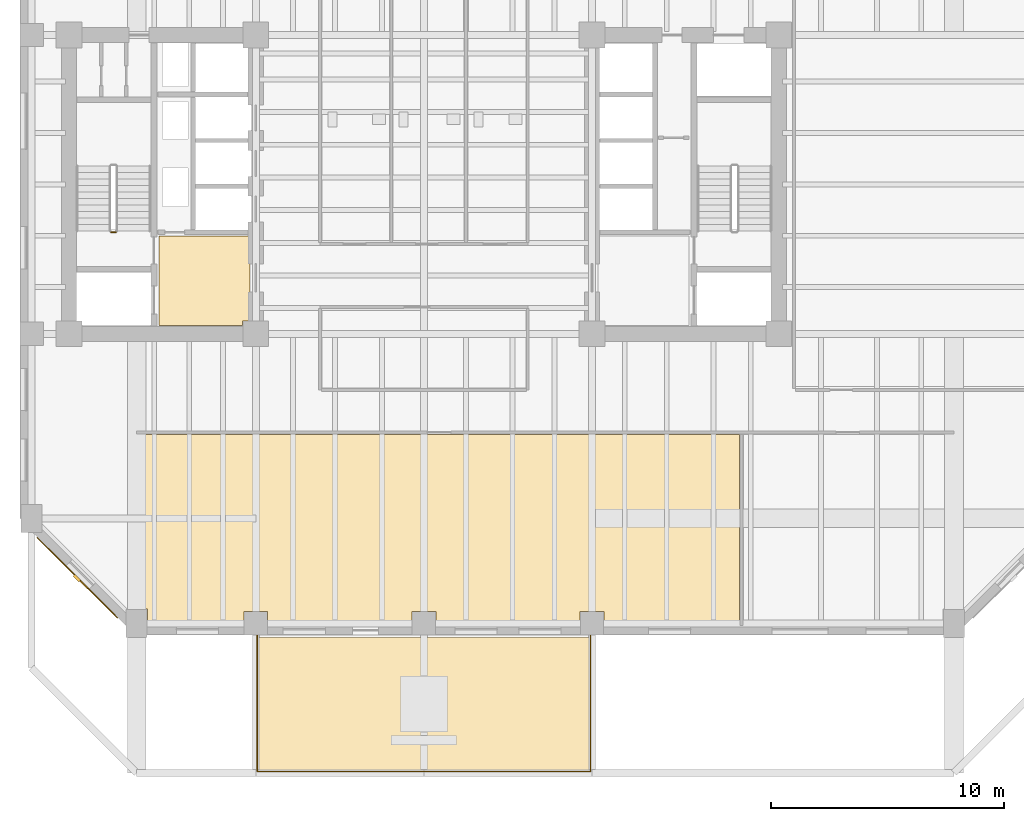
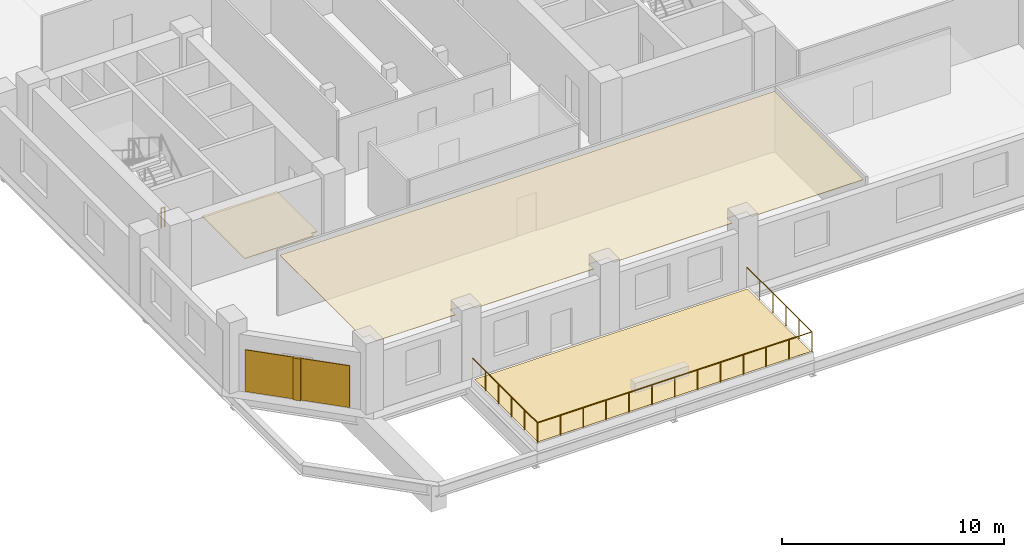
# One storey, part 7 of 10: 4 coverings, 2 railings, 1 shading device.
"""IFC4 building model written with IfcOpenShell, lengths in metres."""

import ifcopenshell
import ifcopenshell.guid

model = None  # the IFC model being written
_history = None  # IfcOwnerHistory: only IFC2X3 demands one
_inside = {}  # id of a spatial element -> (the spatial element, [elements in it])
_under = {}  # id of a project, library or spatial element -> (it, [spatial elements below it])
_declared = {}  # id of a project -> (the project, [libraries it declares])
_typed = {}  # id of a type object -> (the type object, [elements of that type])
_made_of = {}  # id of a material, layer set ... -> (it, [elements and type objects made of it])


def new_model(schema):
    """Start an empty IFC model of exactly this schema.

    Asked for "IFC4X3", IfcOpenShell would pick the latest addendum, in which some entities
    have other attributes; the version numbers below select the first issue.
    IFC2X3 requires an IfcOwnerHistory on every rooted entity: one is made here for all.
    """
    global model, _history
    if schema == "IFC4X3":
        model = ifcopenshell.file(schema_version=(4, 3, 0, 0))
    else:
        model = ifcopenshell.file(schema=schema)
    _inside.clear()
    _under.clear()
    _declared.clear()
    _typed.clear()
    _made_of.clear()
    _history = None
    if model.schema == "IFC2X3":
        org = make("IfcOrganization", Name="unknown")
        user = make(
            "IfcPersonAndOrganization",
            ThePerson=make("IfcPerson", FamilyName="unknown"),
            TheOrganization=org,
        )
        app = make(
            "IfcApplication",
            ApplicationDeveloper=org,
            Version="unknown",
            ApplicationFullName="unknown",
            ApplicationIdentifier="unknown",
        )
        _history = make(
            "IfcOwnerHistory",
            OwningUser=user,
            OwningApplication=app,
            ChangeAction="ADDED",
            CreationDate=0,
        )
    return model


def make(cls, **values):
    """One entity of the class cls with the attributes given. An attribute that is None is left unset."""
    return model.create_entity(
        cls, **{name: value for name, value in values.items() if value is not None}
    )


def rooted(cls, **values):
    """An entity with a GlobalId (a new one), such as an element, a storey or a relation."""
    return make(cls, GlobalId=ifcopenshell.guid.new(), OwnerHistory=_history, **values)


def si_unit(unit_type, name, prefix=None):
    """IfcSIUnit, for example si_unit("LENGTHUNIT", "METRE", prefix="MILLI")."""
    return make("IfcSIUnit", UnitType=unit_type, Prefix=prefix, Name=name)


def assignment(units):
    """IfcUnitAssignment: the units of a project."""
    return None if units is None else make("IfcUnitAssignment", Units=units)


def point(xyz):
    """IfcCartesianPoint."""
    return None if xyz is None else make("IfcCartesianPoint", Coordinates=xyz)


def direction(xyz):
    """IfcDirection."""
    return None if xyz is None else make("IfcDirection", DirectionRatios=xyz)


def frame(location, z_axis=None, x_axis=None):
    """IfcAxis2Placement3D, a coordinate frame: its origin and axes. An axis left out is left unset."""
    return make(
        "IfcAxis2Placement3D",
        Location=point(location),
        Axis=direction(z_axis),
        RefDirection=direction(x_axis),
    )


def frame_2d(location, x_axis=None):
    """IfcAxis2Placement2D, a coordinate frame in the plane: its origin and x axis."""
    return make(
        "IfcAxis2Placement2D", Location=point(location), RefDirection=direction(x_axis)
    )


def origin():
    """The frame at (0, 0, 0) with its axes left unset."""
    return frame((0.0, 0.0, 0.0))


def origin_2d():
    """The frame at (0, 0) in the plane with its x axis left unset."""
    return frame_2d((0.0, 0.0))


def place(relative_to, where):
    """IfcLocalPlacement: puts the frame where relative to a parent placement (None: the world)."""
    return make(
        "IfcLocalPlacement", PlacementRelTo=relative_to, RelativePlacement=where
    )


def context(
    kind, dimensions, precision=None, world=None, true_north=None, identifier=None
):
    """IfcGeometricRepresentationContext, for example the 3D "Model" context."""
    return make(
        "IfcGeometricRepresentationContext",
        ContextIdentifier=identifier,
        ContextType=kind,
        CoordinateSpaceDimension=dimensions,
        Precision=precision,
        WorldCoordinateSystem=world,
        TrueNorth=true_north,
    )


def subcontext(parent, identifier, kind, view, scale=None):
    """IfcGeometricRepresentationSubContext, for example "Body" below "Model"."""
    return make(
        "IfcGeometricRepresentationSubContext",
        ContextIdentifier=identifier,
        ContextType=kind,
        ParentContext=parent,
        TargetScale=scale,
        TargetView=view,
    )


def project(units=None, contexts=None):
    """IfcProject with its units and contexts."""
    return rooted(
        "IfcProject",
        Name="project",
        RepresentationContexts=contexts,
        UnitsInContext=assignment(units),
    )


def spatial(cls, under=None, at=None, **own):
    """A site, building, storey or space (cls), placed at a placement, below another one or the project."""
    s = rooted(cls, ObjectPlacement=at, **own)
    if under is not None:
        _under.setdefault(under.id(), (under, []))[1].append(s)
    return s


def polyline(points):
    """IfcPolyline through the points."""
    return make("IfcPolyline", Points=[point(p) for p in points])


def profile(cls, at=None, kind="AREA", **sizes):
    """A parametric profile (cls). Its sizes go by their IFC names, for example OverallWidth=200.0."""
    return make(cls, ProfileType=kind, Position=at, **sizes)


def rectangle(**sizes):
    """IfcRectangleProfileDef."""
    return profile("IfcRectangleProfileDef", **sizes)


def circle(**sizes):
    """IfcCircleProfileDef."""
    return profile("IfcCircleProfileDef", **sizes)


def outline(outer, holes=None, kind="AREA"):
    """IfcArbitraryClosedProfileDef: a profile drawn as a closed curve; with holes, ...WithVoids."""
    if holes is None:
        return make("IfcArbitraryClosedProfileDef", ProfileType=kind, OuterCurve=outer)
    return make(
        "IfcArbitraryProfileDefWithVoids",
        ProfileType=kind,
        OuterCurve=outer,
        InnerCurves=holes,
    )


def extrude(swept, where, along, depth):
    """IfcExtrudedAreaSolid: the profile swept, set in the frame where, extruded along a direction by depth."""
    return make(
        "IfcExtrudedAreaSolid",
        SweptArea=swept,
        Position=where,
        ExtrudedDirection=direction(along),
        Depth=depth,
    )


def shape(context_of_items, identifier, shape_type, items):
    """IfcShapeRepresentation: the items that make up one representation, for example the "Body"."""
    return make(
        "IfcShapeRepresentation",
        ContextOfItems=context_of_items,
        RepresentationIdentifier=identifier,
        RepresentationType=shape_type,
        Items=items,
    )


def material(Name=None, Category=None):
    """IfcMaterial."""
    return make("IfcMaterial", Name=Name, Category=Category)


def layer(
    of_material, thickness, ventilated=None, Name=None, Category=None, Priority=None
):
    """IfcMaterialLayer: one layer of a wall or slab, of a material (None: an air gap)."""
    return make(
        "IfcMaterialLayer",
        Material=of_material,
        LayerThickness=thickness,
        IsVentilated=ventilated,
        Name=Name,
        Category=Category,
        Priority=Priority,
    )


def layer_set(layers, Name=None):
    """IfcMaterialLayerSet."""
    return make("IfcMaterialLayerSet", MaterialLayers=layers, LayerSetName=Name)


def made_of(thing, what):
    """Note that an element or type object is made of a material, layer set ...; save() writes the relation."""
    if what is not None:
        _made_of.setdefault(what.id(), (what, []))[1].append(thing)
    return thing


def type_object(cls, material=None, **own):
    """A type object (cls), such as IfcWallType, which elements share."""
    return made_of(rooted(cls, **own), material)


def element(
    cls,
    number,
    at=None,
    inside=None,
    cuts=None,
    type_object=None,
    material=None,
    context=None,
    identifier="Body",
    shape_type=None,
    held_by="IfcProductDefinitionShape",
    body=None,
    shapes=None,
    **own,
):
    """One element of the class cls, such as IfcWall. Its Tag is "e" and its number.

    at: its placement. inside: the storey or other place that contains it. cuts: it is an
    opening in that element (IfcRelVoidsElement). A single representation is given by context,
    identifier, shape_type and body (its items); several are given by shapes. held_by: the class
    of the entity that holds the representations. save() writes the other relations.
    """
    e = rooted(cls, Tag="e%d" % number, ObjectPlacement=at, **own)
    if body is not None:
        shapes = [shape(context, identifier, shape_type, body)]
    if shapes is not None:
        e.Representation = make(held_by, Representations=shapes)
    if inside is not None:
        _inside.setdefault(inside.id(), (inside, []))[1].append(e)
    if cuts is not None:
        rooted(
            "IfcRelVoidsElement", RelatingBuildingElement=cuts, RelatedOpeningElement=e
        )
    if type_object is not None:
        _typed.setdefault(type_object.id(), (type_object, []))[1].append(e)
    return made_of(e, material)


def aggregate(whole, parts):
    """IfcRelAggregates: a whole, such as a stair, and the parts it consists of."""
    return rooted("IfcRelAggregates", RelatingObject=whole, RelatedObjects=parts)


def save(model, path):
    """Write the relations noted so far, then the file.

    IfcRelAggregates (storeys below a building ...), IfcRelContainedInSpatialStructure (elements
    in a storey), IfcRelDefinesByType, IfcRelAssociatesMaterial and IfcRelDeclares: one each for
    every whole, place, type object, material and project.
    """
    for whole, parts in _under.values():
        aggregate(whole, parts)
    for where, things in _inside.values():
        rooted(
            "IfcRelContainedInSpatialStructure",
            RelatedElements=things,
            RelatingStructure=where,
        )
    for kind, things in _typed.values():
        rooted("IfcRelDefinesByType", RelatedObjects=things, RelatingType=kind)
    for what, things in _made_of.values():
        rooted("IfcRelAssociatesMaterial", RelatedObjects=things, RelatingMaterial=what)
    for by, libraries in _declared.values():
        rooted("IfcRelDeclares", RelatingContext=by, RelatedDefinitions=libraries)
    model.write(path)


model = new_model("IFC4")

# Units and contexts
model_context = context("Model", 3, precision=1e-05, world=origin(), true_north=direction((0.0, 1.0)))
body_context = subcontext(model_context, "Body", "Model", "MODEL_VIEW")
ifc_project = project(units=[si_unit("LENGTHUNIT", "METRE"), si_unit("AREAUNIT", "SQUARE_METRE"), si_unit("VOLUMEUNIT", "CUBIC_METRE"), si_unit("PLANEANGLEUNIT", "RADIAN"), si_unit("MASSUNIT", "GRAM", prefix="KILO")], contexts=[model_context])

# Site, building, storey
site_placement = place(None, origin())
site = spatial("IfcSite", under=ifc_project, at=site_placement, CompositionType="ELEMENT")
building_placement = place(site_placement, origin())
building = spatial("IfcBuilding", under=site, at=building_placement, Name="Kranthara Brick Stack", CompositionType="ELEMENT")
storey_placement = place(building_placement, frame((0.0, 0.0, 71.10009765625)))
storey = spatial("IfcBuildingStorey", under=building, at=storey_placement, Name="L17", CompositionType="ELEMENT", Elevation=71.10009765625)

# Coverings
ifc_material_1 = material(Name="Perforated mineral-fibre acoustic ceiling tile", Category="other")
ifc_layer_1 = layer(ifc_material_1, 0.02490234375)
ifc_layer_set_1 = layer_set([ifc_layer_1], Name="Perforated mineral-fibre acoustic ceiling tile")
covering_type_1 = type_object("IfcCoveringType", Name="COV-CEIL-ACOUSTIC", PredefinedType="CEILING", material=ifc_layer_set_1)
covering_1_placement = place(storey_placement, frame((0.0, 0.0, 3.329833984375)))
element("IfcCovering", 1, at=covering_1_placement, inside=storey, type_object=covering_type_1, Name="L17 L17 Open Plan Workspace 1 Acoustic Ceiling", PredefinedType="CEILING", context=body_context, shape_type="SweptSolid", body=[
    extrude(outline(polyline([(35.7099609375, 8.469970703125), (35.7099609375, 8.909912109375), (34.68994140625, 8.909912109375), (34.68994140625, 8.469970703125), (28.510009765625, 8.469970703125), (28.510009765625, 8.909912109375), (27.489990234375, 8.909912109375), (27.489990234375, 8.469970703125), (21.31005859375, 8.469970703125), (21.31005859375, 8.909912109375), (20.2900390625, 8.909912109375), (20.2900390625, 8.469970703125), (16.159912109375, 8.469970703125), (16.159912109375, 9.010009765625), (15.780029296875, 9.010009765625), (15.780029296875, 16.47998046875), (41.52001953125, 16.47998046875), (41.52001953125, 8.469970703125), (35.7099609375, 8.469970703125)])), origin(), (0.0, 0.0, 1.0), 0.025146484375),
])
ifc_material_2 = material(Name="Warm buff kiln-fired brick slip rainscreen", Category="masonry")
ifc_layer_2 = layer(ifc_material_2, 0.044921875)
ifc_layer_set_2 = layer_set([ifc_layer_2], Name="Warm buff kiln-fired brick slip rainscreen")
covering_type_2 = type_object("IfcCoveringType", Name="COV-CLAD-BRICK", PredefinedType="CLADDING", material=ifc_layer_set_2)
covering_2_placement = place(storey_placement, frame((13.156494140625, 10.3564453125, 0.0498046875), z_axis=(0.0, 0.0, 1.0), x_axis=(-0.707106781187, 0.707106781187, 0.0)))
element("IfcCovering", 2, at=covering_2_placement, inside=storey, type_object=covering_type_2, Name="L17 Chamfer Brick Rainscreen Cladding SW", PredefinedType="CLADDING", context=body_context, shape_type="SweptSolid", body=[
    extrude(rectangle(XDim=4.876953125, YDim=0.044921875, at=origin_2d()), origin(), (0.0, 0.0, 1.0), 2.300048828125),
])
ifc_material_3 = material(Name="Honed terrazzo and porcelain floor finish", Category="stone")
ifc_layer_3 = layer(ifc_material_3, 0.030029296875)
ifc_layer_set_3 = layer_set([ifc_layer_3], Name="Honed terrazzo and porcelain floor finish")
covering_type_3 = type_object("IfcCoveringType", Name="COV-FLOR-STONE", PredefinedType="FLOORING", material=ifc_layer_set_3)
covering_3_placement = place(storey_placement, origin())
element("IfcCovering", 3, at=covering_3_placement, inside=storey, type_object=covering_type_3, Name="L17 Lift Lobby Stone Flooring", PredefinedType="FLOORING", context=body_context, shape_type="SweptSolid", body=[
    extrude(outline(polyline([(16.64990234375, 21.14990234375), (16.64990234375, 25.0), (20.550048828125, 25.0), (20.550048828125, 21.360107421875), (20.239990234375, 21.360107421875), (20.239990234375, 21.14990234375), (16.64990234375, 21.14990234375)])), origin(), (0.0, 0.0, 1.0), 0.02978515625),
])
ifc_material_4 = material(Name="EPDM waterproofing membrane and rigid insulation", Category="other")
ifc_layer_4 = layer(ifc_material_4, 0.0400390625)
ifc_layer_set_4 = layer_set([ifc_layer_4], Name="EPDM waterproofing membrane and rigid insulation")
covering_type_4 = type_object("IfcCoveringType", Name="COV-ROOF-MEMB", PredefinedType="ROOFING", material=ifc_layer_set_4)
covering_4_placement = place(storey_placement, frame((0.0, 0.0, -0.0400390625)))
element("IfcCovering", 4, at=covering_4_placement, inside=storey, type_object=covering_type_4, Name="L17 Sky Garden Waterproofing Membrane", PredefinedType="ROOFING", context=body_context, shape_type="SweptSolid", body=[
    extrude(outline(polyline([(20.89990234375, 2.10009765625), (35.10009765625, 2.10009765625), (35.10009765625, 7.800048828125), (20.89990234375, 7.800048828125), (20.89990234375, 2.10009765625)])), origin(), (0.0, 0.0, 1.0), 0.0400390625),
])

# Railings
ifc_material_5 = material(Name="Painted galvanized steel stair guardrail", Category="steel")
railing_type_1 = type_object("IfcRailingType", Name="RL-STAIR-GUARD-1100", PredefinedType="GUARDRAIL", material=ifc_material_5)
railing_1_placement = place(storey_placement, frame((14.800048828125, 25.14990234375, 0.0)))
element("IfcRailing", 5, at=railing_1_placement, inside=storey, type_object=railing_type_1, Name="L17 ST01 stair guard 4", PredefinedType="GUARDRAIL", context=body_context, shape_type="SweptSolid", body=[
    extrude(circle(Radius=0.02392578125, at=origin_2d()), frame((0.0, 0.0, 1.076171875), z_axis=(-1.0, 0.0, 0.0), x_axis=(0.0, -1.0, 0.0)), (0.0, 0.0, 1.0), 0.199951171875),
    extrude(circle(Radius=0.02099609375, at=origin_2d()), origin(), (0.0, 0.0, 1.0), 1.052001953125),
    extrude(circle(Radius=0.02099609375, at=origin_2d()), frame((-0.199951171875, 0.0, 0.0)), (0.0, 0.0, 1.0), 1.052001953125),
])
ifc_material_6 = material(Name="Bronze anodised aluminium guardrail", Category="aluminium")
railing_type_2 = type_object("IfcRailingType", Name="RL-TERR-1100", PredefinedType="GUARDRAIL", material=ifc_material_6)
railing_2_placement = place(storey_placement, frame((20.860107421875, 7.93994140625, 0.0)))
element("IfcRailing", 6, at=railing_2_placement, inside=storey, type_object=railing_type_2, Name="L17 Sky Garden Perimeter Guardrail", PredefinedType="GUARDRAIL", context=body_context, shape_type="SweptSolid", body=[
    extrude(circle(Radius=0.02392578125, at=origin_2d()), frame((0.0, 0.0, 1.09619140625), z_axis=(0.0, -1.0, 0.0), x_axis=(1.0, 0.0, 0.0)), (0.0, 0.0, 1.0), 5.8798828125),
    extrude(circle(Radius=0.02392578125, at=origin_2d()), frame((0.0, -5.8798828125, 1.09619140625), z_axis=(1.0, 0.0, 0.0), x_axis=(0.0, 1.0, 0.0)), (0.0, 0.0, 1.0), 14.27978515625),
    extrude(circle(Radius=0.02392578125, at=origin_2d()), frame((14.27978515625, -5.8798828125, 1.09619140625), z_axis=(0.0, 1.0, 0.0), x_axis=(-1.0, 0.0, 0.0)), (0.0, 0.0, 1.0), 5.8798828125),
    extrude(circle(Radius=0.02099609375, at=origin_2d()), origin(), (0.0, 0.0, 1.0), 1.072021484375),
    extrude(circle(Radius=0.02099609375, at=origin_2d()), frame((0.0, -1.176025390625, 0.0)), (0.0, 0.0, 1.0), 1.072021484375),
    extrude(circle(Radius=0.02099609375, at=origin_2d()), frame((0.0, -2.35205078125, 0.0)), (0.0, 0.0, 1.0), 1.072021484375),
    extrude(circle(Radius=0.02099609375, at=origin_2d()), frame((0.0, -3.52783203125, 0.0)), (0.0, 0.0, 1.0), 1.072021484375),
    extrude(circle(Radius=0.02099609375, at=origin_2d()), frame((0.0, -4.703857421875, 0.0)), (0.0, 0.0, 1.0), 1.072021484375),
    extrude(circle(Radius=0.02099609375, at=origin_2d()), frame((0.0, -5.8798828125, 0.0)), (0.0, 0.0, 1.0), 1.072021484375),
    extrude(circle(Radius=0.02099609375, at=origin_2d()), frame((1.18994140625, -5.8798828125, 0.0)), (0.0, 0.0, 1.0), 1.072021484375),
    extrude(circle(Radius=0.02099609375, at=origin_2d()), frame((2.3798828125, -5.8798828125, 0.0)), (0.0, 0.0, 1.0), 1.072021484375),
    extrude(circle(Radius=0.02099609375, at=origin_2d()), frame((3.56982421875, -5.8798828125, 0.0)), (0.0, 0.0, 1.0), 1.072021484375),
    extrude(circle(Radius=0.02099609375, at=origin_2d()), frame((4.760009765625, -5.8798828125, 0.0)), (0.0, 0.0, 1.0), 1.072021484375),
    extrude(circle(Radius=0.02099609375, at=origin_2d()), frame((5.949951171875, -5.8798828125, 0.0)), (0.0, 0.0, 1.0), 1.072021484375),
    extrude(circle(Radius=0.02099609375, at=origin_2d()), frame((7.139892578125, -5.8798828125, 0.0)), (0.0, 0.0, 1.0), 1.072021484375),
    extrude(circle(Radius=0.02099609375, at=origin_2d()), frame((8.329833984375, -5.8798828125, 0.0)), (0.0, 0.0, 1.0), 1.072021484375),
    extrude(circle(Radius=0.02099609375, at=origin_2d()), frame((9.519775390625, -5.8798828125, 0.0)), (0.0, 0.0, 1.0), 1.072021484375),
    extrude(circle(Radius=0.02099609375, at=origin_2d()), frame((10.7099609375, -5.8798828125, 0.0)), (0.0, 0.0, 1.0), 1.072021484375),
    extrude(circle(Radius=0.02099609375, at=origin_2d()), frame((11.89990234375, -5.8798828125, 0.0)), (0.0, 0.0, 1.0), 1.072021484375),
    extrude(circle(Radius=0.02099609375, at=origin_2d()), frame((13.08984375, -5.8798828125, 0.0)), (0.0, 0.0, 1.0), 1.072021484375),
    extrude(circle(Radius=0.02099609375, at=origin_2d()), frame((14.27978515625, -5.8798828125, 0.0)), (0.0, 0.0, 1.0), 1.072021484375),
    extrude(circle(Radius=0.02099609375, at=origin_2d()), frame((14.27978515625, -4.703857421875, 0.0)), (0.0, 0.0, 1.0), 1.072021484375),
    extrude(circle(Radius=0.02099609375, at=origin_2d()), frame((14.27978515625, -3.52783203125, 0.0)), (0.0, 0.0, 1.0), 1.072021484375),
    extrude(circle(Radius=0.02099609375, at=origin_2d()), frame((14.27978515625, -2.35205078125, 0.0)), (0.0, 0.0, 1.0), 1.072021484375),
    extrude(circle(Radius=0.02099609375, at=origin_2d()), frame((14.27978515625, -1.176025390625, 0.0)), (0.0, 0.0, 1.0), 1.072021484375),
    extrude(circle(Radius=0.02099609375, at=origin_2d()), frame((14.27978515625, 0.0, 0.0)), (0.0, 0.0, 1.0), 1.072021484375),
])

# Shading device
ifc_material_7 = material(Name="Kiln-fired terracotta aerodynamic wind fin", Category="masonry")
shading_device_type = type_object("IfcShadingDeviceType", Name="SHD-BAFFLE-CORNER", PredefinedType="SHUTTER", material=ifc_material_7)
shading_device_placement = place(storey_placement, frame((13.13525390625, 10.335205078125, 0.0498046875), z_axis=(0.0, 0.0, 1.0), x_axis=(-0.707106781187, 0.707106781187, 0.0)))
element("IfcShadingDevice", 7, at=shading_device_placement, inside=storey, type_object=shading_device_type, Name="L17 Chamfer Wind-Baffle Fin SW", PredefinedType="SHUTTER", context=body_context, shape_type="SweptSolid", body=[
    extrude(rectangle(XDim=0.35009765625, YDim=0.1201171875, at=origin_2d()), origin(), (0.0, 0.0, 1.0), 2.300048828125),
])

save(model, "model.ifc")
